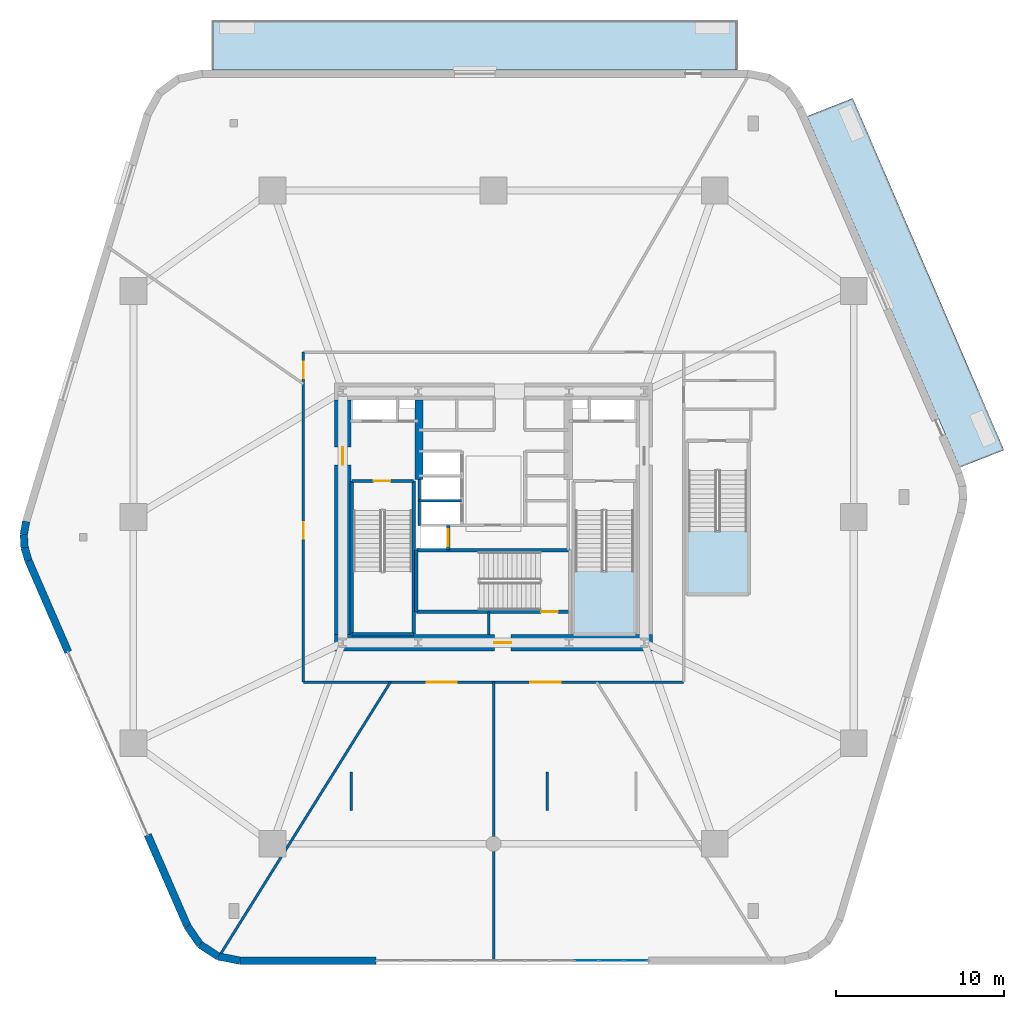
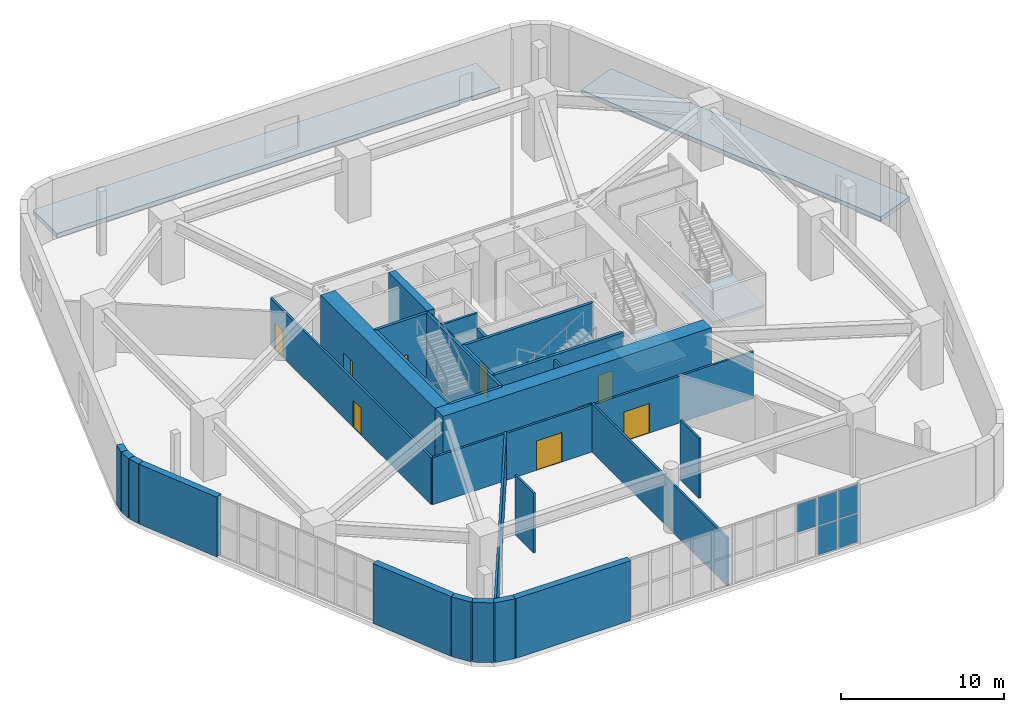
# One storey, part 11 of 17: 29 walls, 9 doors, 5 plates, 4 slabs, 9 openings, 3 elements without a shape of their own.
"""IFC4 building model written with IfcOpenShell, lengths in metres."""

from ifc_helpers import new_model, si_unit, direction, frame, frame_2d, origin, origin_2d, place, context, subcontext, project, spatial, polyline, rectangle, outline, extrude, material, layer, layer_set, type_object, element, fill, aggregate, save


model = new_model("IFC4")

# Units and contexts
model_context = context("Model", 3, precision=1e-05, world=origin(), true_north=direction((0.0, 1.0)))
body_context = subcontext(model_context, "Body", "Model", "MODEL_VIEW")
ifc_project = project(units=[si_unit("LENGTHUNIT", "METRE"), si_unit("AREAUNIT", "SQUARE_METRE"), si_unit("VOLUMEUNIT", "CUBIC_METRE"), si_unit("PLANEANGLEUNIT", "RADIAN"), si_unit("MASSUNIT", "GRAM", prefix="KILO")], contexts=[model_context])

# Site, building, storey
site_placement = place(None, origin())
site = spatial("IfcSite", under=ifc_project, at=site_placement, CompositionType="ELEMENT")
building_placement = place(site_placement, origin())
building = spatial("IfcBuilding", under=site, at=building_placement, Name="Kilnhurst Terrace Hotel", CompositionType="ELEMENT")
storey_placement = place(building_placement, frame((0.0, 0.0, 18.60009765625)))
storey = spatial("IfcBuildingStorey", under=building, at=storey_placement, Name="L03", CompositionType="ELEMENT", Elevation=18.60009765625)

# Curtain wall, plates
ifc_material_1 = material(Name="Anodized Aluminium Alloy 6063-T6 and Low-E Glass", Category="aluminium")
ifc_layer_1 = layer(ifc_material_1, 0.219970703125, Name="Anodized Aluminium Alloy 6063-T6 and Low-E Glass")
ifc_layer_set_1 = layer_set([ifc_layer_1], Name="Anodized Aluminium Alloy 6063-T6 and Low-E Glass")
curtain_wall_type = type_object("IfcCurtainWallType", Name="CW-POD-TERR", PredefinedType="NOTDEFINED", material=ifc_layer_set_1)
curtain_wall_placement = place(storey_placement, origin())
curtain_wall = element("IfcCurtainWall", 1, at=curtain_wall_placement, inside=storey, type_object=curtain_wall_type, Name="L03 Curtain Wall CW-L03-F1-1", PredefinedType="NOTDEFINED")
ifc_material_2 = material(Name="Triple Laminated Low-E Hurricane Insulated Glass", Category="glass")
ifc_layer_2 = layer(ifc_material_2, 0.031982421875, Name="Triple Laminated Low-E Hurricane Insulated Glass")
ifc_layer_set_2 = layer_set([ifc_layer_2], Name="Triple Laminated Low-E Hurricane Insulated Glass")
plate_type = type_object("IfcPlateType", Name="PNL-GLZ-32", PredefinedType="CURTAIN_PANEL", material=ifc_layer_set_2)
plate_1_placement = place(storey_placement, frame((5.556640625, -26.47509765625, 2.27490234375), z_axis=(0.0, 0.0, 1.0), x_axis=(1.0, 0.0, 0.0)))
plate_1 = element("IfcPlate", 2, at=plate_1_placement, type_object=plate_type, Name="CWT-2 panel 9.2", PredefinedType="CURTAIN_PANEL", context=body_context, shape_type="SweptSolid", body=[
    extrude(rectangle(XDim=1.40869140625, YDim=0.031982421875, at=origin_2d()), origin(), (0.0, 0.0, 1.0), 2.135009765625),
])
plate_2_placement = place(storey_placement, frame((7.035400390625, -26.47509765625, 0.06982421875), z_axis=(0.0, 0.0, 1.0), x_axis=(1.0, 0.0, 0.0)))
plate_2 = element("IfcPlate", 3, at=plate_2_placement, type_object=plate_type, Name="CWT-2 panel 10.1", PredefinedType="CURTAIN_PANEL", context=body_context, shape_type="SweptSolid", body=[
    extrude(rectangle(XDim=1.40869140625, YDim=0.031982421875, at=origin_2d()), origin(), (0.0, 0.0, 1.0), 2.135009765625),
])
plate_3_placement = place(storey_placement, frame((7.035400390625, -26.47509765625, 2.27490234375), z_axis=(0.0, 0.0, 1.0), x_axis=(1.0, 0.0, 0.0)))
plate_3 = element("IfcPlate", 4, at=plate_3_placement, type_object=plate_type, Name="CWT-2 panel 10.2", PredefinedType="CURTAIN_PANEL", context=body_context, shape_type="SweptSolid", body=[
    extrude(rectangle(XDim=1.40869140625, YDim=0.031982421875, at=origin_2d()), origin(), (0.0, 0.0, 1.0), 2.135009765625),
])
plate_4_placement = place(storey_placement, frame((8.49658203125, -26.47509765625, 0.06982421875), z_axis=(0.0, 0.0, 1.0), x_axis=(1.0, 0.0, 0.0)))
plate_4 = element("IfcPlate", 5, at=plate_4_placement, type_object=plate_type, Name="CWT-2 panel 11.1", PredefinedType="CURTAIN_PANEL", context=body_context, shape_type="SweptSolid", body=[
    extrude(rectangle(XDim=1.373779296875, YDim=0.031982421875, at=origin_2d()), origin(), (0.0, 0.0, 1.0), 2.135009765625),
])
plate_5_placement = place(storey_placement, frame((8.49658203125, -26.47509765625, 2.27490234375), z_axis=(0.0, 0.0, 1.0), x_axis=(1.0, 0.0, 0.0)))
plate_5 = element("IfcPlate", 6, at=plate_5_placement, type_object=plate_type, Name="CWT-2 panel 11.2", PredefinedType="CURTAIN_PANEL", context=body_context, shape_type="SweptSolid", body=[
    extrude(rectangle(XDim=1.373779296875, YDim=0.031982421875, at=origin_2d()), origin(), (0.0, 0.0, 1.0), 2.135009765625),
])
aggregate(curtain_wall, [plate_1, plate_2, plate_3, plate_4, plate_5])

# Stair, slab
ifc_material_3 = material(Name="Concrete C50/60", Category="concrete")
stair_type_1 = type_object("IfcStairType", Name="STR-CORE-1660", PredefinedType="HALF_TURN_STAIR", material=ifc_material_3)
stair_1_placement = place(storey_placement, origin())
stair_1 = element("IfcStair", 7, at=stair_1_placement, inside=storey, type_object=stair_type_1, Name="L03 ST-2", PredefinedType="HALF_TURN_STAIR")
ifc_layer_3 = layer(ifc_material_3, 0.199951171875, Name="Concrete C50/60")
ifc_layer_set_3 = layer_set([ifc_layer_3], Name="Concrete C50/60")
slab_type_1 = type_object("IfcSlabType", Name="SLB-ST-LND-200", PredefinedType="LANDING", material=ifc_layer_set_3)
slab_1_placement = place(storey_placement, frame((0.0, 0.0, 2.199951171875)))
slab_1 = element("IfcSlab", 8, at=slab_1_placement, type_object=slab_type_1, Name="ST-2 landing 1", PredefinedType="LANDING", context=body_context, shape_type="SweptSolid", body=[
    extrude(outline(polyline([(4.800048828125, -3.169921875), (8.429931640625, -3.169921875), (8.429931640625, -6.97998046875), (4.800048828125, -6.97998046875), (4.800048828125, -3.169921875)])), origin(), (0.0, 0.0, 1.0), 0.199951171875),
])
aggregate(stair_1, [slab_1])

ifc_material_4 = material(Name="Concrete C40/50", Category="concrete")
stair_type_2 = type_object("IfcStairType", Name="STR-POD-1660", PredefinedType="HALF_TURN_STAIR", material=ifc_material_4)
stair_2_placement = place(storey_placement, origin())
stair_2 = element("IfcStair", 9, at=stair_2_placement, inside=storey, type_object=stair_type_2, Name="L03 ST-4", PredefinedType="HALF_TURN_STAIR")
slab_2_placement = place(storey_placement, frame((0.0, 0.0, 2.199951171875)))
slab_2 = element("IfcSlab", 10, at=slab_2_placement, type_object=slab_type_1, Name="ST-4 landing 1", PredefinedType="LANDING", context=body_context, shape_type="SweptSolid", body=[
    extrude(outline(polyline([(11.570068359375, -0.77001953125), (15.199951171875, -0.77001953125), (15.199951171875, -4.580078125), (11.570068359375, -4.580078125), (11.570068359375, -0.77001953125)])), origin(), (0.0, 0.0, 1.0), 0.199951171875),
])
aggregate(stair_2, [slab_2])

# Slabs
ifc_layer_4 = layer(ifc_material_3, 0.320068359375, Name="Concrete C50/60")
ifc_layer_set_4 = layer_set([ifc_layer_4], Name="Concrete C50/60")
slab_type_2 = type_object("IfcSlabType", Name="SLB-TERR-320", PredefinedType="FLOOR", material=ifc_layer_set_4)
slab_3_placement = place(storey_placement, frame((0.0, 0.0, -0.320068359375)))
element("IfcSlab", 11, at=slab_3_placement, inside=storey, type_object=slab_type_2, Name="L03 Cantilevered Planted Terrace Slab TERR-1", PredefinedType="FLOOR", context=body_context, shape_type="SweptSolid", body=[
    extrude(outline(polyline([(30.46923828125, 4.0), (27.827880859375, 2.963623046875), (18.710693359375, 23.928955078125), (21.44091796875, 25.0), (30.46923828125, 4.0)])), origin(), (0.0, 0.0, 1.0), 0.320068359375),
])
slab_4_placement = place(storey_placement, frame((0.0, 0.0, -0.320068359375)))
element("IfcSlab", 12, at=slab_4_placement, inside=storey, type_object=slab_type_2, Name="L03 Cantilevered Planted Terrace Slab TERR-2", PredefinedType="FLOOR", context=body_context, shape_type="SweptSolid", body=[
    extrude(outline(polyline([(-16.81005859375, 26.679931640625), (-16.81005859375, 29.639892578125), (14.5673828125, 29.639892578125), (14.5673828125, 26.679931640625), (-16.81005859375, 26.679931640625)])), origin(), (0.0, 0.0, 1.0), 0.320068359375),
])

# Walls
ifc_material_5 = material(Name="Precast concrete C40/50", Category="concrete")
ifc_layer_5 = layer(ifc_material_5, 0.449951171875, Name="Precast concrete C40/50")
ifc_layer_set_5 = layer_set([ifc_layer_5], Name="Precast concrete C40/50")
wall_type_1 = type_object("IfcWallType", Name="WL-BRK-450", PredefinedType="SOLIDWALL", material=ifc_layer_set_5)
wall_1_placement = place(storey_placement, frame((-18.27099609375, -24.426025390625, 0.0), z_axis=(0.0, 0.0, 1.0), x_axis=(0.567629051817, -0.823284434162, 0.0)))
element("IfcWall", 13, at=wall_1_placement, inside=storey, type_object=wall_type_1, Name="L03 Rounded Corner Brick Wall C1.1", PredefinedType="SOLIDWALL", context=body_context, shape_type="SweptSolid", body=[
    extrude(rectangle(XDim=1.31787109375, YDim=0.449951171875, at=frame_2d((0.658935546875, 0.0))), origin(), (0.0, 0.0, 1.0), 4.47998046875),
])
wall_2_placement = place(storey_placement, frame((-17.52294921875, -25.510986328125, 0.0), z_axis=(0.0, 0.0, 1.0), x_axis=(0.83622878949, -0.548380717776, 0.0)))
element("IfcWall", 14, at=wall_2_placement, inside=storey, type_object=wall_type_1, Name="L03 Rounded Corner Brick Wall C1.2", PredefinedType="SOLIDWALL", context=body_context, shape_type="SweptSolid", body=[
    extrude(rectangle(XDim=1.2958984375, YDim=0.449951171875, at=frame_2d((0.64794921875, 0.0))), origin(), (0.0, 0.0, 1.0), 4.47998046875),
])
wall_3_placement = place(storey_placement, frame((-16.439208984375, -26.2216796875, 0.0), z_axis=(0.0, 0.0, 1.0), x_axis=(0.98134938685, -0.192232621919, 0.0)))
element("IfcWall", 15, at=wall_3_placement, inside=storey, type_object=wall_type_1, Name="L03 Rounded Corner Brick Wall C1.3", PredefinedType="SOLIDWALL", context=body_context, shape_type="SweptSolid", body=[
    extrude(rectangle(XDim=1.318359375, YDim=0.449951171875, at=frame_2d((0.6591796875, 0.0))), origin(), (0.0, 0.0, 1.0), 4.47998046875),
])
wall_4_placement = place(storey_placement, frame((-27.904541015625, -0.260498046875, 0.0), z_axis=(0.0, 0.0, 1.0), x_axis=(-0.17266943956, -0.984979829561, 0.0)))
element("IfcWall", 16, at=wall_4_placement, inside=storey, type_object=wall_type_1, Name="L03 Rounded Corner Brick Wall C6.1", PredefinedType="SOLIDWALL", context=body_context, shape_type="SweptSolid", body=[
    extrude(rectangle(XDim=0.798828125, YDim=0.449951171875, at=frame_2d((0.3994140625, 0.0))), origin(), (0.0, 0.0, 1.0), 4.47998046875),
])
wall_5_placement = place(storey_placement, frame((-28.04248046875, -1.04736328125, 0.0), z_axis=(0.0, 0.0, 1.0), x_axis=(0.059960394052, -0.998200756935, 0.0)))
element("IfcWall", 17, at=wall_5_placement, inside=storey, type_object=wall_type_1, Name="L03 Rounded Corner Brick Wall C6.2", PredefinedType="SOLIDWALL", context=body_context, shape_type="SweptSolid", body=[
    extrude(rectangle(XDim=0.785888671875, YDim=0.449951171875, at=frame_2d((0.39306640625, 0.0))), origin(), (0.0, 0.0, 1.0), 4.47998046875),
])
wall_6_placement = place(storey_placement, frame((-27.995361328125, -1.831787109375, 0.0), z_axis=(0.0, 0.0, 1.0), x_axis=(0.2894220622, -0.957201582694, 0.0)))
element("IfcWall", 18, at=wall_6_placement, inside=storey, type_object=wall_type_1, Name="L03 Rounded Corner Brick Wall C6.3", PredefinedType="SOLIDWALL", context=body_context, shape_type="SweptSolid", body=[
    extrude(rectangle(XDim=0.798828125, YDim=0.449951171875, at=frame_2d((0.3994140625, 0.0))), origin(), (0.0, 0.0, 1.0), 4.47998046875),
])
wall_7_placement = place(storey_placement, frame((-15.1455078125, -26.47509765625, 0.0), z_axis=(0.0, 0.0, 1.0), x_axis=(1.0, 0.0, 0.0)))
element("IfcWall", 19, at=wall_7_placement, inside=storey, type_object=wall_type_1, Name="L03 Face 1 Brick Pier 1", PredefinedType="SOLIDWALL", context=body_context, shape_type="SweptSolid", body=[
    extrude(rectangle(XDim=8.1328125, YDim=0.449951171875, at=frame_2d((4.06640625, 0.0))), origin(), (0.0, 0.0, 1.0), 4.47998046875),
])
wall_8_placement = place(storey_placement, frame((-27.76416015625, -2.596435546875, 0.0), z_axis=(0.0, 0.0, 1.0), x_axis=(0.398805616553, -0.917035484704, 0.0)))
element("IfcWall", 20, at=wall_8_placement, inside=storey, type_object=wall_type_1, Name="L03 Face 6 Brick Pier 1", PredefinedType="SOLIDWALL", context=body_context, shape_type="SweptSolid", body=[
    extrude(rectangle(XDim=5.950927734375, YDim=0.449951171875, at=frame_2d((2.9755859375, 0.0))), origin(), (0.0, 0.0, 1.0), 4.47998046875),
])
wall_9_placement = place(storey_placement, frame((-20.64453125, -18.96826171875, 0.0), z_axis=(0.0, 0.0, 1.0), x_axis=(0.39881010906, -0.917033530964, 0.0)))
element("IfcWall", 21, at=wall_9_placement, inside=storey, type_object=wall_type_1, Name="L03 Face 6 End Brick Pier", PredefinedType="SOLIDWALL", context=body_context, shape_type="SweptSolid", body=[
    extrude(rectangle(XDim=5.95166015625, YDim=0.449951171875, at=frame_2d((2.975830078125, 0.0))), origin(), (0.0, 0.0, 1.0), 4.47998046875),
])

# Wall, openings, doors
ifc_material_6 = material(Name="Acoustic Double-Gypsum Corridor Partition Assembly")
ifc_layer_6 = layer(ifc_material_6, 0.14990234375, Name="Acoustic Double-Gypsum Corridor Partition Assembly")
ifc_layer_set_6 = layer_set([ifc_layer_6], Name="Acoustic Double-Gypsum Corridor Partition Assembly")
wall_type_2 = type_object("IfcWallType", Name="WL-COR-150", PredefinedType="PARTITIONING", material=ifc_layer_set_6)
wall_10_placement = place(storey_placement, frame((-11.35009765625, -9.85009765625, 0.0), z_axis=(0.0, 0.0, 1.0), x_axis=(0.0, 1.0, 0.0)))
wall_10 = element("IfcWall", 22, at=wall_10_placement, inside=storey, type_object=wall_type_2, Name="L03 Interior Wall WL-L03-COR-01", PredefinedType="PARTITIONING", context=body_context, shape_type="SweptSolid", body=[
    extrude(rectangle(XDim=19.7001953125, YDim=0.14990234375, at=frame_2d((9.85009765625, 0.0))), origin(), (0.0, 0.0, 1.0), 3.521728515625),
])
opening_1_placement = place(wall_10_placement, frame((18.12890625, 0.0, 0.0)))
opening_1 = element("IfcOpeningElement", 23, at=opening_1_placement, cuts=wall_10, Name="Opening D-10A", PredefinedType="OPENING", context=body_context, shape_type="SweptSolid", body=[
    extrude(rectangle(XDim=1.0, YDim=2.030029296875, at=frame_2d((0.5, 1.01513671875))), frame((0.0, 0.0849609375, 0.0), z_axis=(0.0, -1.0, 0.0), x_axis=(1.0, 0.0, 0.0)), (0.0, 0.0, 1.0), 0.169921875),
])
opening_2_placement = place(wall_10_placement, frame((8.544921875, 0.0, 0.0)))
opening_2 = element("IfcOpeningElement", 24, at=opening_2_placement, cuts=wall_10, Name="Opening D-10A", PredefinedType="OPENING", context=body_context, shape_type="SweptSolid", body=[
    extrude(rectangle(XDim=1.0, YDim=2.030029296875, at=frame_2d((0.5, 1.01513671875))), frame((0.0, 0.0849609375, 0.0), z_axis=(0.0, -1.0, 0.0), x_axis=(1.0, 0.0, 0.0)), (0.0, 0.0, 1.0), 0.169921875),
])
ifc_material_7 = material(Name="Solid-Core American White Oak Interior Door")
door_type_1 = type_object("IfcDoorType", Name="DR-INT-1000", OperationType="NOTDEFINED", PredefinedType="DOOR", material=ifc_material_7)
door_1_placement = place(opening_1_placement, origin())
door_1 = element("IfcDoor", 25, at=door_1_placement, inside=storey, type_object=door_type_1, Name="L03 Business Center and Study Library Door", OperationType="SINGLE_SWING_RIGHT", OverallHeight=2.030029296875, OverallWidth=1.0, PredefinedType="DOOR", context=body_context, shape_type="SweptSolid", body=[
    extrude(rectangle(XDim=1.0, YDim=2.030029296875, at=frame_2d((0.5, 1.01513671875))), frame((0.0, 0.02490234375, 0.0), z_axis=(0.0, -1.0, 0.0), x_axis=(1.0, 0.0, 0.0)), (0.0, 0.0, 1.0), 0.050048828125),
])
fill(opening_1, door_1)
door_2_placement = place(opening_2_placement, origin())
door_2 = element("IfcDoor", 26, at=door_2_placement, inside=storey, type_object=door_type_1, Name="L03 Hotel Administration Office Suite Door", OperationType="SINGLE_SWING_LEFT", OverallHeight=2.030029296875, OverallWidth=1.0, PredefinedType="DOOR", context=body_context, shape_type="SweptSolid", body=[
    extrude(rectangle(XDim=1.0, YDim=2.030029296875, at=frame_2d((0.5, 1.01513671875))), frame((0.0, 0.02490234375, 0.0), z_axis=(0.0, -1.0, 0.0), x_axis=(1.0, 0.0, 0.0)), (0.0, 0.0, 1.0), 0.050048828125),
])
fill(opening_2, door_2)

wall_11_placement = place(storey_placement, frame((11.35009765625, -9.85009765625, 0.0), z_axis=(0.0, 0.0, 1.0), x_axis=(-1.0, 0.0, 0.0)))
wall_11 = element("IfcWall", 27, at=wall_11_placement, inside=storey, type_object=wall_type_2, Name="L03 Interior Wall WL-L03-COR-04", PredefinedType="PARTITIONING", context=body_context, shape_type="SweptSolid", body=[
    extrude(rectangle(XDim=22.7001953125, YDim=0.14990234375, at=frame_2d((11.35009765625, 0.0))), origin(), (0.0, 0.0, 1.0), 3.521728515625),
])
opening_3_placement = place(wall_11_placement, frame((13.549072265625, 0.0, 0.0)))
opening_3 = element("IfcOpeningElement", 28, at=opening_3_placement, cuts=wall_11, Name="Opening D-18A", PredefinedType="OPENING", context=body_context, shape_type="SweptSolid", body=[
    extrude(rectangle(XDim=1.800048828125, YDim=2.199951171875, at=frame_2d((0.89990234375, 1.10009765625))), frame((0.0, 0.0849609375, 0.0), z_axis=(0.0, -1.0, 0.0), x_axis=(1.0, 0.0, 0.0)), (0.0, 0.0, 1.0), 0.169921875),
])
opening_4_placement = place(wall_11_placement, frame((7.35107421875, 0.0, 0.0)))
opening_4 = element("IfcOpeningElement", 29, at=opening_4_placement, cuts=wall_11, Name="Opening D-18A", PredefinedType="OPENING", context=body_context, shape_type="SweptSolid", body=[
    extrude(rectangle(XDim=1.800048828125, YDim=2.199951171875, at=frame_2d((0.89990234375, 1.10009765625))), frame((0.0, 0.0849609375, 0.0), z_axis=(0.0, -1.0, 0.0), x_axis=(1.0, 0.0, 0.0)), (0.0, 0.0, 1.0), 0.169921875),
])
ifc_material_8 = material(Name="Bronze-Framed Acoustic Glazed Double Hospitality Door")
door_type_2 = type_object("IfcDoorType", Name="DR-INT-1800", OperationType="NOTDEFINED", PredefinedType="DOOR", material=ifc_material_8)
door_3_placement = place(opening_3_placement, origin())
door_3 = element("IfcDoor", 30, at=door_3_placement, inside=storey, type_object=door_type_2, Name="L03 Junior Symposium Ballroom West Door", OperationType="DOUBLE_SWING_LEFT", OverallHeight=2.199951171875, OverallWidth=1.800048828125, PredefinedType="DOOR", context=body_context, shape_type="SweptSolid", body=[
    extrude(rectangle(XDim=1.800048828125, YDim=2.199951171875, at=frame_2d((0.89990234375, 1.10009765625))), frame((0.0, 0.02490234375, 0.0), z_axis=(0.0, -1.0, 0.0), x_axis=(1.0, 0.0, 0.0)), (0.0, 0.0, 1.0), 0.050048828125),
])
fill(opening_3, door_3)
door_4_placement = place(opening_4_placement, origin())
door_4 = element("IfcDoor", 31, at=door_4_placement, inside=storey, type_object=door_type_2, Name="L03 Junior Symposium Ballroom East Door", OperationType="DOUBLE_SWING_LEFT", OverallHeight=2.199951171875, OverallWidth=1.800048828125, PredefinedType="DOOR", context=body_context, shape_type="SweptSolid", body=[
    extrude(rectangle(XDim=1.800048828125, YDim=2.199951171875, at=frame_2d((0.89990234375, 1.10009765625))), frame((0.0, 0.02490234375, 0.0), z_axis=(0.0, -1.0, 0.0), x_axis=(1.0, 0.0, 0.0)), (0.0, 0.0, 1.0), 0.050048828125),
])
fill(opening_4, door_4)

# Wall, opening, door
ifc_material_9 = material(Name="Concrete C80/95", Category="concrete")
ifc_layer_7 = layer(ifc_material_9, 1.0, Name="Concrete C80/95")
ifc_layer_set_7 = layer_set([ifc_layer_7], Name="Concrete C80/95")
wall_type_3 = type_object("IfcWallType", Name="WL-CORE-1000", PredefinedType="SHEAR", material=ifc_layer_set_7)
wall_12_placement = place(storey_placement, frame((-9.5, -7.5, 0.0), z_axis=(0.0, 0.0, 1.0), x_axis=(1.0, 0.0, 0.0)))
wall_12 = element("IfcWall", 32, at=wall_12_placement, inside=storey, type_object=wall_type_3, Name="L03 Core South Shear Wall", PredefinedType="SHEAR", context=body_context, shape_type="SweptSolid", body=[
    extrude(rectangle(XDim=19.0, YDim=1.0, at=frame_2d((9.5, 0.0))), origin(), (0.0, 0.0, 1.0), 4.7998046875),
])
opening_5_placement = place(wall_12_placement, frame((9.550048828125, 0.0, 0.0)))
opening_5 = element("IfcOpeningElement", 33, at=opening_5_placement, cuts=wall_12, Name="Opening D-90B", PredefinedType="OPENING", context=body_context, shape_type="SweptSolid", body=[
    extrude(rectangle(XDim=1.0, YDim=2.14990234375, at=frame_2d((0.5, 1.074951171875))), frame((0.0, 0.510009765625, 0.0), z_axis=(0.0, -1.0, 0.0), x_axis=(1.0, 0.0, 0.0)), (0.0, 0.0, 1.0), 1.02001953125),
])
ifc_material_10 = material(Name="Painted Hollow Metal Steel ASTM A36 Fire Door", Category="steel")
door_type_3 = type_object("IfcDoorType", Name="DR-FD90-1000", OperationType="NOTDEFINED", PredefinedType="DOOR", material=ifc_material_10)
door_5_placement = place(opening_5_placement, origin())
door_5 = element("IfcDoor", 34, at=door_5_placement, inside=storey, type_object=door_type_3, Name="L03 Stair ST-3 Corridor Door", OperationType="SINGLE_SWING_RIGHT", OverallHeight=2.14990234375, OverallWidth=1.0, PredefinedType="DOOR", context=body_context, shape_type="SweptSolid", body=[
    extrude(rectangle(XDim=1.0, YDim=2.14990234375, at=frame_2d((0.5, 1.074951171875))), frame((0.0, 0.02490234375, 0.0), z_axis=(0.0, -1.0, 0.0), x_axis=(1.0, 0.0, 0.0)), (0.0, 0.0, 1.0), 0.050048828125),
])
fill(opening_5, door_5)

wall_13_placement = place(storey_placement, frame((-9.0, -7.0, 0.0), z_axis=(0.0, 0.0, 1.0), x_axis=(0.0, 1.0, 0.0)))
wall_13 = element("IfcWall", 35, at=wall_13_placement, inside=storey, type_object=wall_type_3, Name="L03 Core West Shear Wall", PredefinedType="SHEAR", context=body_context, shape_type="SweptSolid", body=[
    extrude(rectangle(XDim=14.0, YDim=1.0, at=frame_2d((7.0, 0.0))), origin(), (0.0, 0.0, 1.0), 4.7998046875),
])
opening_6_placement = place(wall_13_placement, frame((10.125, 0.0, 0.0)))
opening_6 = element("IfcOpeningElement", 36, at=opening_6_placement, cuts=wall_13, Name="Opening D-90A", PredefinedType="OPENING", context=body_context, shape_type="SweptSolid", body=[
    extrude(rectangle(XDim=1.050048828125, YDim=2.14990234375, at=frame_2d((0.52490234375, 1.074951171875))), frame((0.0, 0.510009765625, 0.0), z_axis=(0.0, -1.0, 0.0), x_axis=(1.0, 0.0, 0.0)), (0.0, 0.0, 1.0), 1.02001953125),
])
door_type_4 = type_object("IfcDoorType", Name="DR-FD90-1050", OperationType="NOTDEFINED", PredefinedType="DOOR", material=ifc_material_10)
door_6_placement = place(opening_6_placement, origin())
door_6 = element("IfcDoor", 37, at=door_6_placement, inside=storey, type_object=door_type_4, Name="L03 West Firefighting Lobby Door", OperationType="SINGLE_SWING_RIGHT", OverallHeight=2.14990234375, OverallWidth=1.050048828125, PredefinedType="DOOR", context=body_context, shape_type="SweptSolid", body=[
    extrude(rectangle(XDim=1.050048828125, YDim=2.14990234375, at=frame_2d((0.52490234375, 1.074951171875))), frame((0.0, 0.02490234375, 0.0), z_axis=(0.0, -1.0, 0.0), x_axis=(1.0, 0.0, 0.0)), (0.0, 0.0, 1.0), 0.050048828125),
])
fill(opening_6, door_6)

# Walls
ifc_material_11 = material(Name="Concrete C60/75", Category="concrete")
ifc_layer_8 = layer(ifc_material_11, 0.5, Name="Concrete C60/75")
ifc_layer_set_8 = layer_set([ifc_layer_8], Name="Concrete C60/75")
wall_type_4 = type_object("IfcWallType", Name="WL-CORE-WEB-500", PredefinedType="SHEAR", material=ifc_layer_set_8)
wall_14_placement = place(storey_placement, frame((-4.449951171875, 2.25, 0.0), z_axis=(0.0, 0.0, 1.0), x_axis=(0.0, 1.0, 0.0)))
element("IfcWall", 38, at=wall_14_placement, inside=storey, type_object=wall_type_4, Name="L03 Core Internal West Shear Web", PredefinedType="SHEAR", context=body_context, shape_type="SweptSolid", body=[
    extrude(rectangle(XDim=4.75, YDim=0.5, at=frame_2d((2.375, 0.0))), origin(), (0.0, 0.0, 1.0), 4.7998046875),
])
ifc_material_12 = material(Name="STC-54 Top-Hung Acoustic Operable Ballroom Folding Wall")
ifc_layer_9 = layer(ifc_material_12, 0.139892578125, Name="STC-54 Top-Hung Acoustic Operable Ballroom Folding Wall")
ifc_layer_set_9 = layer_set([ifc_layer_9], Name="STC-54 Top-Hung Acoustic Operable Ballroom Folding Wall")
wall_type_5 = type_object("IfcWallType", Name="WL-MOV-140", PredefinedType="MOVABLE", material=ifc_layer_set_9)
for number, where, z_axis, x_axis, name in (
    (39, (-8.5, -17.5, 0.0), (0.0, 0.0, 1.0), (0.0, 1.0, 0.0), "L03 Operable Acoustic Ballroom Partition 1"),
    (40, (3.199951171875, -17.5, 0.0), (0.0, 0.0, 1.0), (0.0, 1.0, 0.0), "L03 Operable Acoustic Ballroom Partition 2"),
):
    element("IfcWall", number, at=place(storey_placement, frame(where, z_axis=z_axis, x_axis=x_axis)), inside=storey, type_object=wall_type_5, Name=name, PredefinedType="MOVABLE", context=body_context, shape_type="SweptSolid", body=[
        extrude(rectangle(XDim=2.300048828125, YDim=0.139892578125, at=frame_2d((1.14990234375, 0.0))), origin(), (0.0, 0.0, 1.0), 4.47998046875),
    ])
ifc_material_13 = material(Name="150 mm Acoustic Gypsum Hospitality Partition")
ifc_layer_10 = layer(ifc_material_13, 0.14990234375, Name="150 mm Acoustic Gypsum Hospitality Partition")
ifc_layer_set_10 = layer_set([ifc_layer_10], Name="150 mm Acoustic Gypsum Hospitality Partition")
wall_type_6 = type_object("IfcWallType", Name="WL-PART-150", PredefinedType="PARTITIONING", material=ifc_layer_set_10)
wall_15_placement = place(storey_placement, frame((-6.155029296875, -9.85009765625, 0.0), z_axis=(0.0, 0.0, 1.0), x_axis=(-0.529924429771, -0.848044868348, 0.0)))
element("IfcWall", 41, at=wall_15_placement, inside=storey, type_object=wall_type_6, Name="L03 Interior Wall WL-L03-PDIV-1-1", PredefinedType="PARTITIONING", context=body_context, shape_type="SweptSolid", body=[
    extrude(rectangle(XDim=19.144775390625, YDim=0.14990234375, at=frame_2d((9.572265625, 0.0))), origin(), (0.0, 0.0, 1.0), 3.612060546875),
])
wall_16_placement = place(storey_placement, frame((0.0, -9.85009765625, 0.0), z_axis=(0.0, 0.0, 1.0), x_axis=(0.0, -1.0, 0.0)))
element("IfcWall", 42, at=wall_16_placement, inside=storey, type_object=wall_type_6, Name="L03 Interior Wall WL-L03-PDIV-2-1", PredefinedType="PARTITIONING", context=body_context, shape_type="SweptSolid", body=[
    extrude(rectangle(XDim=16.625, YDim=0.14990234375, at=frame_2d((8.3125, 0.0))), origin(), (0.0, 0.0, 1.0), 3.612060546875),
])
ifc_material_14 = material(Name="Fire-Rated Gypsum Shaftliner Assembly")
ifc_layer_11 = layer(ifc_material_14, 0.14990234375, Name="Fire-Rated Gypsum Shaftliner Assembly")
ifc_layer_set_11 = layer_set([ifc_layer_11], Name="Fire-Rated Gypsum Shaftliner Assembly")
wall_type_7 = type_object("IfcWallType", Name="WL-SHAFT-150", PredefinedType="PARTITIONING", material=ifc_layer_set_11)
wall_17_placement = place(storey_placement, frame((-0.300048828125, -7.02001953125, 0.0), z_axis=(0.0, 0.0, 1.0), x_axis=(0.0, 1.0, 0.0)))
element("IfcWall", 43, at=wall_17_placement, inside=storey, type_object=wall_type_7, Name="L03 Interior Wall WL-L03-ST3-PSGW", PredefinedType="PARTITIONING", context=body_context, shape_type="SweptSolid", body=[
    extrude(rectangle(XDim=1.362060546875, YDim=0.14990234375, at=frame_2d((0.68115234375, 0.0))), origin(), (0.0, 0.0, 1.0), 4.47998046875),
])
wall_18_placement = place(storey_placement, frame((-4.449951171875, -0.5, 0.0), z_axis=(0.0, 0.0, 1.0), x_axis=(0.0, 1.0, 0.0)))
element("IfcWall", 44, at=wall_18_placement, inside=storey, type_object=wall_type_7, Name="L03 Interior Wall WL-L03-XLOB-W", PredefinedType="PARTITIONING", context=body_context, shape_type="SweptSolid", body=[
    extrude(rectangle(XDim=2.75, YDim=0.14990234375, at=frame_2d((1.375, 0.0))), origin(), (0.0, 0.0, 1.0), 4.47998046875),
])
wall_19_placement = place(storey_placement, frame((-4.449951171875, 0.97998046875, 0.0), z_axis=(0.0, 0.0, 1.0), x_axis=(1.0, 0.0, 0.0)))
element("IfcWall", 45, at=wall_19_placement, inside=storey, type_object=wall_type_7, Name="L03 Interior Wall WL-L03-LR-D1", PredefinedType="PARTITIONING", context=body_context, shape_type="SweptSolid", body=[
    extrude(rectangle(XDim=2.550048828125, YDim=0.14990234375, at=frame_2d((1.27490234375, 0.0))), origin(), (0.0, 0.0, 1.0), 4.47998046875),
])

# Wall, opening, door
ifc_material_15 = material(Name="Autoclaved Aerated Concrete C30/37 and Gypsum Shaft Assembly", Category="concrete")
ifc_layer_12 = layer(ifc_material_15, 0.199951171875, Name="Autoclaved Aerated Concrete C30/37 and Gypsum Shaft Assembly")
ifc_layer_set_12 = layer_set([ifc_layer_12], Name="Autoclaved Aerated Concrete C30/37 and Gypsum Shaft Assembly")
wall_type_8 = type_object("IfcWallType", Name="WL-SHAFT-200", PredefinedType="PARTITIONING", material=ifc_layer_set_12)
wall_20_placement = place(storey_placement, frame((-2.699951171875, -1.971923828125, 0.0), z_axis=(0.0, 0.0, 1.0), x_axis=(0.0, 1.0, 0.0)))
wall_20 = element("IfcWall", 46, at=wall_20_placement, inside=storey, type_object=wall_type_8, Name="L03 Interior Wall WL-L03-SRV1-E", PredefinedType="PARTITIONING", context=body_context, shape_type="SweptSolid", body=[
    extrude(rectangle(XDim=1.471923828125, YDim=0.199951171875, at=frame_2d((0.73583984375, 0.0))), origin(), (0.0, 0.0, 1.0), 4.47998046875),
])
opening_7_placement = place(wall_20_placement, frame((0.239990234375, 0.0, 0.0)))
opening_7 = element("IfcOpeningElement", 47, at=opening_7_placement, cuts=wall_20, Name="Opening LD-SV", PredefinedType="OPENING", context=body_context, shape_type="SweptSolid", body=[
    extrude(rectangle(XDim=1.0, YDim=2.199951171875, at=frame_2d((0.5, 1.10009765625))), frame((0.0, 0.10986328125, 0.0), z_axis=(0.0, -1.0, 0.0), x_axis=(1.0, 0.0, 0.0)), (0.0, 0.0, 1.0), 0.219970703125),
])
ifc_material_16 = material(Name="Bronze-Anodized Stainless Steel AISI 316L Sliding Door", Category="steel")
door_type_5 = type_object("IfcDoorType", Name="DR-LIFT-1000", OperationType="NOTDEFINED", PredefinedType="DOOR", material=ifc_material_16)
door_7_placement = place(opening_7_placement, origin())
door_7 = element("IfcDoor", 48, at=door_7_placement, inside=storey, type_object=door_type_5, Name="L03 Service Lift SRV-1 Landing Door", OperationType="SLIDING_TO_LEFT", OverallHeight=2.199951171875, OverallWidth=1.0, PredefinedType="DOOR", context=body_context, shape_type="SweptSolid", body=[
    extrude(rectangle(XDim=1.0, YDim=2.199951171875, at=frame_2d((0.5, 1.10009765625))), frame((0.0, 0.02490234375, 0.0), z_axis=(0.0, -1.0, 0.0), x_axis=(1.0, 0.0, 0.0)), (0.0, 0.0, 1.0), 0.050048828125),
])
fill(opening_7, door_7)

# Walls
ifc_layer_13 = layer(ifc_material_3, 0.199951171875, Name="Concrete C50/60")
ifc_layer_set_13 = layer_set([ifc_layer_13], Name="Concrete C50/60")
wall_type_9 = type_object("IfcWallType", Name="WL-STAIR-RC-200", PredefinedType="SHEAR", material=ifc_layer_set_13)
for number, where, z_axis, x_axis, name in (
    (49, (-8.4580078125, -6.985107421875, 0.0), (0.0, 0.0, 1.0), (0.0, 1.0, 0.0), "L03 Structural Stair Shaft Wall WL-L03-ST1-W"),
    (50, (-4.77197265625, -6.985107421875, 0.0), (0.0, 0.0, 1.0), (0.0, 1.0, 0.0), "L03 Structural Stair Shaft Wall WL-L03-ST1-E"),
):
    element("IfcWall", number, at=place(storey_placement, frame(where, z_axis=z_axis, x_axis=x_axis)), inside=storey, type_object=wall_type_9, Name=name, PredefinedType="SHEAR", context=body_context, shape_type="SweptSolid", body=[
        extrude(rectangle(XDim=9.14306640625, YDim=0.199951171875, at=frame_2d((4.571533203125, 0.0))), origin(), (0.0, 0.0, 1.0), 4.7998046875),
    ])
wall_21_placement = place(storey_placement, frame((-8.4580078125, -6.985107421875, 0.0), z_axis=(0.0, 0.0, 1.0), x_axis=(1.0, 0.0, 0.0)))
element("IfcWall", 51, at=wall_21_placement, inside=storey, type_object=wall_type_9, Name="L03 Structural Stair Shaft Wall WL-L03-ST1-S", PredefinedType="SHEAR", context=body_context, shape_type="SweptSolid", body=[
    extrude(rectangle(XDim=3.68603515625, YDim=0.199951171875, at=frame_2d((1.843017578125, 0.0))), origin(), (0.0, 0.0, 1.0), 4.7998046875),
])

# Wall, opening, door
wall_22_placement = place(storey_placement, frame((-8.4580078125, 2.157958984375, 0.0), z_axis=(0.0, 0.0, 1.0), x_axis=(1.0, 0.0, 0.0)))
wall_22 = element("IfcWall", 52, at=wall_22_placement, inside=storey, type_object=wall_type_9, Name="L03 Structural Stair Shaft Wall WL-L03-ST1-N", PredefinedType="SHEAR", context=body_context, shape_type="SweptSolid", body=[
    extrude(rectangle(XDim=3.68603515625, YDim=0.199951171875, at=frame_2d((1.843017578125, 0.0))), origin(), (0.0, 0.0, 1.0), 4.7998046875),
])
opening_8_placement = place(wall_22_placement, frame((1.300048828125, 0.0, 0.0)))
opening_8 = element("IfcOpeningElement", 53, at=opening_8_placement, cuts=wall_22, Name="Opening D-90B", PredefinedType="OPENING", context=body_context, shape_type="SweptSolid", body=[
    extrude(rectangle(XDim=1.0, YDim=2.14990234375, at=frame_2d((0.5, 1.074951171875))), frame((0.0, 0.10986328125, 0.0), z_axis=(0.0, -1.0, 0.0), x_axis=(1.0, 0.0, 0.0)), (0.0, 0.0, 1.0), 0.219970703125),
])
door_8_placement = place(opening_8_placement, origin())
door_8 = element("IfcDoor", 54, at=door_8_placement, inside=storey, type_object=door_type_3, Name="L03 Stair ST-1 Door", OperationType="SINGLE_SWING_LEFT", OverallHeight=2.14990234375, OverallWidth=1.0, PredefinedType="DOOR", context=body_context, shape_type="SweptSolid", body=[
    extrude(rectangle(XDim=1.0, YDim=2.14990234375, at=frame_2d((0.5, 1.074951171875))), frame((0.0, 0.02490234375, 0.0), z_axis=(0.0, -1.0, 0.0), x_axis=(1.0, 0.0, 0.0)), (0.0, 0.0, 1.0), 0.050048828125),
])
fill(opening_8, door_8)

# Wall
wall_23_placement = place(storey_placement, frame((-4.60791015625, -5.657958984375, 0.0), z_axis=(0.0, 0.0, 1.0), x_axis=(0.0, 1.0, 0.0)))
element("IfcWall", 55, at=wall_23_placement, inside=storey, type_object=wall_type_9, Name="L03 Structural Stair Shaft Wall WL-L03-ST3-W", PredefinedType="SHEAR", context=body_context, shape_type="SweptSolid", body=[
    extrude(rectangle(XDim=3.68603515625, YDim=0.199951171875, at=frame_2d((1.843017578125, 0.0))), origin(), (0.0, 0.0, 1.0), 4.7998046875),
])

# Wall, opening, door
wall_24_placement = place(storey_placement, frame((-4.60791015625, -5.657958984375, 0.0), z_axis=(0.0, 0.0, 1.0), x_axis=(1.0, 0.0, 0.0)))
wall_24 = element("IfcWall", 56, at=wall_24_placement, inside=storey, type_object=wall_type_9, Name="L03 Structural Stair Shaft Wall WL-L03-ST3-S", PredefinedType="SHEAR", context=body_context, shape_type="SweptSolid", body=[
    extrude(rectangle(XDim=9.166015625, YDim=0.199951171875, at=frame_2d((4.5830078125, 0.0))), origin(), (0.0, 0.0, 1.0), 4.7998046875),
])
opening_9_placement = place(wall_24_placement, frame((7.449951171875, 0.0, 0.0)))
opening_9 = element("IfcOpeningElement", 57, at=opening_9_placement, cuts=wall_24, Name="Opening D-90B", PredefinedType="OPENING", context=body_context, shape_type="SweptSolid", body=[
    extrude(rectangle(XDim=1.0, YDim=2.14990234375, at=frame_2d((0.5, 1.074951171875))), frame((0.0, 0.10986328125, 0.0), z_axis=(0.0, -1.0, 0.0), x_axis=(1.0, 0.0, 0.0)), (0.0, 0.0, 1.0), 0.219970703125),
])
door_9_placement = place(opening_9_placement, origin())
door_9 = element("IfcDoor", 58, at=door_9_placement, inside=storey, type_object=door_type_3, Name="L03 Stair ST-3 Shaft Door", OperationType="SINGLE_SWING_LEFT", OverallHeight=2.14990234375, OverallWidth=1.0, PredefinedType="DOOR", context=body_context, shape_type="SweptSolid", body=[
    extrude(rectangle(XDim=1.0, YDim=2.14990234375, at=frame_2d((0.5, 1.074951171875))), frame((0.0, 0.02490234375, 0.0), z_axis=(0.0, -1.0, 0.0), x_axis=(1.0, 0.0, 0.0)), (0.0, 0.0, 1.0), 0.050048828125),
])
fill(opening_9, door_9)

# Wall
wall_25_placement = place(storey_placement, frame((-4.60791015625, -1.971923828125, 0.0), z_axis=(0.0, 0.0, 1.0), x_axis=(1.0, 0.0, 0.0)))
element("IfcWall", 59, at=wall_25_placement, inside=storey, type_object=wall_type_9, Name="L03 Structural Stair Shaft Wall WL-L03-ST3-N", PredefinedType="SHEAR", context=body_context, shape_type="SweptSolid", body=[
    extrude(rectangle(XDim=9.166015625, YDim=0.199951171875, at=frame_2d((4.5830078125, 0.0))), origin(), (0.0, 0.0, 1.0), 4.7998046875),
])

save(model, "model.ifc")
